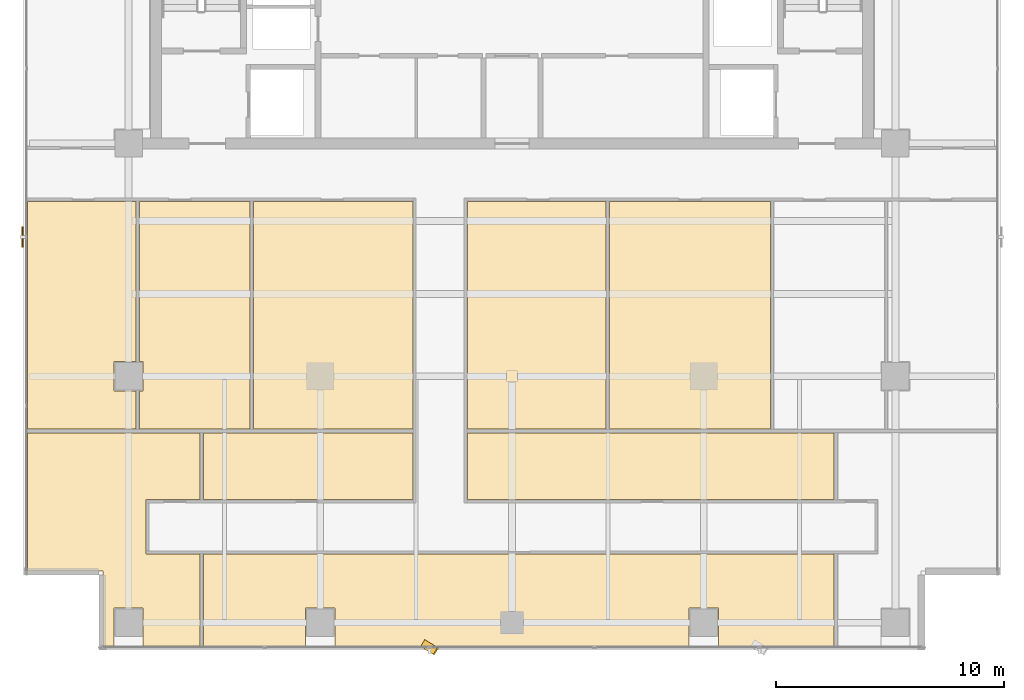
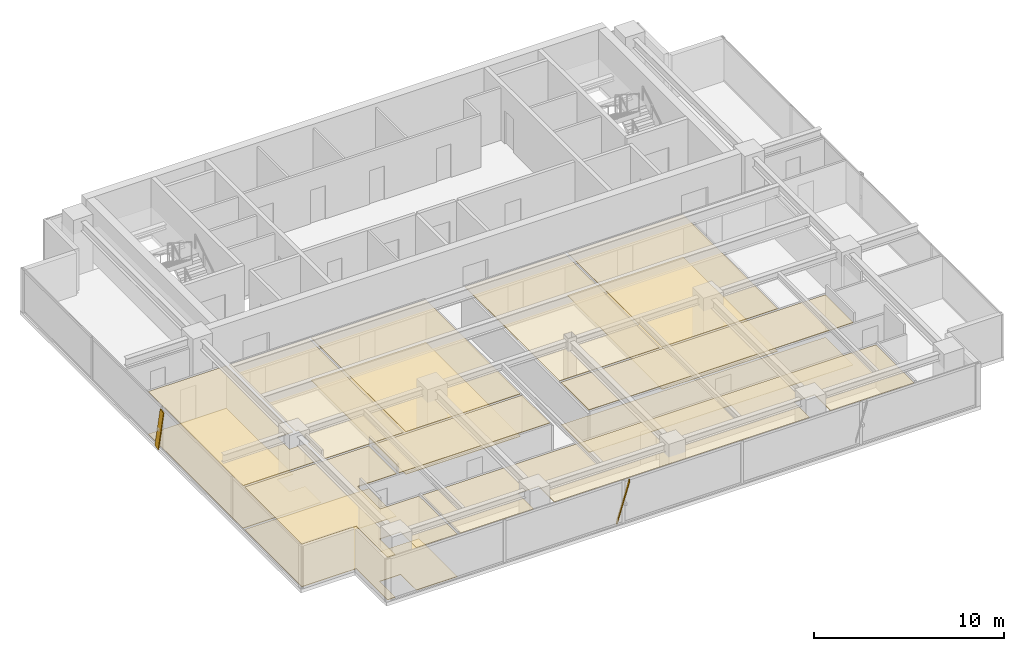
# One storey, part 19 of 23: 14 coverings, 2 shading devices.
"""IFC4 building model written with IfcOpenShell, lengths in metres."""

from ifc_helpers import new_model, si_unit, direction, frame, origin, origin_2d, place, context, subcontext, project, spatial, polyline, rectangle, outline, extrude, source, transform, mapped, material, layer, layer_set, material_profile, profile_set, type_object, element, save


model = new_model("IFC4")

# Units and contexts
model_context = context("Model", 3, precision=1e-05, world=origin(), true_north=direction((0.0, 1.0)))
body_context = subcontext(model_context, "Body", "Model", "MODEL_VIEW")
ifc_project = project(units=[si_unit("LENGTHUNIT", "METRE"), si_unit("AREAUNIT", "SQUARE_METRE"), si_unit("VOLUMEUNIT", "CUBIC_METRE"), si_unit("PLANEANGLEUNIT", "RADIAN"), si_unit("MASSUNIT", "GRAM", prefix="KILO")], contexts=[model_context])

# Site, building, storey
site_placement = place(None, origin())
site = spatial("IfcSite", under=ifc_project, at=site_placement, CompositionType="ELEMENT")
building_placement = place(site_placement, origin())
building = spatial("IfcBuilding", under=site, at=building_placement, Name="Sumidabori Civic Tower", CompositionType="ELEMENT")
storey_placement = place(building_placement, frame((0.0, 0.0, 275.60009765625)))
storey = spatial("IfcBuildingStorey", under=building, at=storey_placement, Name="L72", CompositionType="ELEMENT", Elevation=275.60009765625)

# Coverings
ifc_material_1 = material(Name="Perforated Timber Acoustic Ceiling", Category="wood")
ifc_layer_1 = layer(ifc_material_1, 0.044921875, Name="Perforated Timber Acoustic Ceiling")
ifc_layer_set_1 = layer_set([ifc_layer_1], Name="Perforated Timber Acoustic Ceiling")
covering_type_1 = type_object("IfcCoveringType", Name="CV-CEIL-AC2", PredefinedType="CEILING", material=ifc_layer_set_1)
covering_1_placement = place(storey_placement, frame((0.0, 0.0, 2.719970703125)))
element("IfcCovering", 1, at=covering_1_placement, inside=storey, type_object=covering_type_1, Name="Room Acoustic Ceiling L72-03", PredefinedType="CEILING", context=body_context, shape_type="SweptSolid", body=[
    extrude(outline(polyline([(-21.22998046875, -2.320068359375), (-21.22998046875, 7.659912109375), (-16.47998046875, 7.659912109375), (-16.47998046875, 0.639892578125), (-17.43994140625, 0.639892578125), (-17.43994140625, -0.639892578125), (-16.47998046875, -0.639892578125), (-16.47998046875, -2.320068359375), (-21.22998046875, -2.320068359375)])), origin(), (0.0, 0.0, 1.0), 0.044921875),
])
covering_2_placement = place(storey_placement, frame((0.0, 0.0, 2.719970703125)))
element("IfcCovering", 2, at=covering_2_placement, inside=storey, type_object=covering_type_1, Name="Room Acoustic Ceiling L72-04", PredefinedType="CEILING", context=body_context, shape_type="SweptSolid", body=[
    extrude(outline(polyline([(-16.159912109375, 0.639892578125), (-16.320068359375, 0.639892578125), (-16.320068359375, 7.659912109375), (-11.47998046875, 7.659912109375), (-11.47998046875, -2.320068359375), (-16.320068359375, -2.320068359375), (-16.320068359375, -0.639892578125), (-16.159912109375, -0.639892578125), (-16.159912109375, 0.639892578125)])), origin(), (0.0, 0.0, 1.0), 0.044921875),
])
covering_3_placement = place(storey_placement, frame((0.0, 0.0, 2.719970703125)))
element("IfcCovering", 3, at=covering_3_placement, inside=storey, type_object=covering_type_1, Name="Room Acoustic Ceiling L72-05", PredefinedType="CEILING", context=body_context, shape_type="SweptSolid", body=[
    extrude(outline(polyline([(-11.320068359375, -2.320068359375), (-11.320068359375, 7.659912109375), (-4.340087890625, 7.659912109375), (-4.340087890625, -2.320068359375), (-11.320068359375, -2.320068359375)])), origin(), (0.0, 0.0, 1.0), 0.044921875),
])
covering_4_placement = place(storey_placement, frame((0.0, 0.0, 2.719970703125)))
element("IfcCovering", 4, at=covering_4_placement, inside=storey, type_object=covering_type_1, Name="Room Acoustic Ceiling L72-06", PredefinedType="CEILING", context=body_context, shape_type="SweptSolid", body=[
    extrude(outline(polyline([(-1.9599609375, 7.659912109375), (4.1201171875, 7.659912109375), (4.1201171875, -2.320068359375), (-1.9599609375, -2.320068359375), (-1.9599609375, 7.659912109375)])), origin(), (0.0, 0.0, 1.0), 0.044921875),
])
covering_5_placement = place(storey_placement, frame((0.0, 0.0, 2.719970703125)))
element("IfcCovering", 5, at=covering_5_placement, inside=storey, type_object=covering_type_1, Name="Room Acoustic Ceiling L72-07", PredefinedType="CEILING", context=body_context, shape_type="SweptSolid", body=[
    extrude(outline(polyline([(4.280029296875, 7.659912109375), (11.320068359375, 7.659912109375), (11.320068359375, -2.320068359375), (4.280029296875, -2.320068359375), (4.280029296875, 7.659912109375)])), origin(), (0.0, 0.0, 1.0), 0.044921875),
])
covering_6_placement = place(storey_placement, frame((0.0, 0.0, 2.719970703125)))
element("IfcCovering", 6, at=covering_6_placement, inside=storey, type_object=covering_type_1, Name="Room Acoustic Ceiling L72-10", PredefinedType="CEILING", context=body_context, shape_type="SweptSolid", body=[
    extrude(outline(polyline([(-13.52001953125, -2.47998046875), (-4.340087890625, -2.47998046875), (-4.340087890625, -5.409912109375), (-13.52001953125, -5.409912109375), (-13.52001953125, -2.47998046875)])), origin(), (0.0, 0.0, 1.0), 0.044921875),
])
covering_7_placement = place(storey_placement, frame((0.0, 0.0, 2.719970703125)))
element("IfcCovering", 7, at=covering_7_placement, inside=storey, type_object=covering_type_1, Name="Room Acoustic Ceiling L72-11", PredefinedType="CEILING", context=body_context, shape_type="SweptSolid", body=[
    extrude(outline(polyline([(-1.9599609375, -5.409912109375), (-1.9599609375, -2.47998046875), (14.1201171875, -2.47998046875), (14.1201171875, -5.409912109375), (-1.9599609375, -5.409912109375)])), origin(), (0.0, 0.0, 1.0), 0.044921875),
])
covering_8_placement = place(storey_placement, frame((0.0, 0.0, 2.719970703125)))
element("IfcCovering", 8, at=covering_8_placement, inside=storey, type_object=covering_type_1, Name="Room Acoustic Ceiling L72-13", PredefinedType="CEILING", context=body_context, shape_type="SweptSolid", body=[
    extrude(outline(polyline([(-17.929931640625, -11.830078125), (-17.929931640625, -8.530029296875), (-21.22998046875, -8.530029296875), (-21.22998046875, -2.47998046875), (-13.679931640625, -2.47998046875), (-13.679931640625, -5.409912109375), (-16.0400390625, -5.409912109375), (-16.0400390625, -7.7900390625), (-13.679931640625, -7.7900390625), (-13.679931640625, -11.830078125), (-16.159912109375, -11.830078125), (-16.159912109375, -10.159912109375), (-17.43994140625, -10.159912109375), (-17.43994140625, -11.830078125), (-17.929931640625, -11.830078125)])), origin(), (0.0, 0.0, 1.0), 0.044921875),
])
covering_9_placement = place(storey_placement, frame((0.0, 0.0, 2.719970703125)))
element("IfcCovering", 9, at=covering_9_placement, inside=storey, type_object=covering_type_1, Name="Room Acoustic Ceiling L72-14", PredefinedType="CEILING", context=body_context, shape_type="SweptSolid", body=[
    extrude(outline(polyline([(14.1201171875, -7.7900390625), (14.1201171875, -11.830078125), (9.0400390625, -11.830078125), (9.0400390625, -10.159912109375), (7.760009765625, -10.159912109375), (7.760009765625, -11.830078125), (-7.760009765625, -11.830078125), (-7.760009765625, -10.159912109375), (-9.0400390625, -10.159912109375), (-9.0400390625, -11.830078125), (-13.52001953125, -11.830078125), (-13.52001953125, -7.7900390625), (14.1201171875, -7.7900390625)])), origin(), (0.0, 0.0, 1.0), 0.044921875),
])
ifc_material_2 = material(Name="Honed Terrazzo Tile Flooring")
ifc_layer_2 = layer(ifc_material_2, 0.030029296875, Name="Honed Terrazzo Tile Flooring")
ifc_layer_set_2 = layer_set([ifc_layer_2], Name="Honed Terrazzo Tile Flooring")
covering_type_2 = type_object("IfcCoveringType", Name="CV-FLR-TER", PredefinedType="FLOORING", material=ifc_layer_set_2)
covering_10_placement = place(storey_placement, origin())
element("IfcCovering", 10, at=covering_10_placement, inside=storey, type_object=covering_type_2, Name="Room Terrazzo Floor L72-03", PredefinedType="FLOORING", context=body_context, shape_type="SweptSolid", body=[
    extrude(outline(polyline([(-21.22998046875, -2.320068359375), (-21.22998046875, 7.659912109375), (-16.47998046875, 7.659912109375), (-16.47998046875, 0.639892578125), (-17.43994140625, 0.639892578125), (-17.43994140625, -0.639892578125), (-16.47998046875, -0.639892578125), (-16.47998046875, -2.320068359375), (-21.22998046875, -2.320068359375)])), origin(), (0.0, 0.0, 1.0), 0.02978515625),
])
covering_11_placement = place(storey_placement, origin())
element("IfcCovering", 11, at=covering_11_placement, inside=storey, type_object=covering_type_2, Name="Room Terrazzo Floor L72-05", PredefinedType="FLOORING", context=body_context, shape_type="SweptSolid", body=[
    extrude(outline(polyline([(-11.320068359375, -2.320068359375), (-11.320068359375, 7.659912109375), (-4.340087890625, 7.659912109375), (-4.340087890625, -2.320068359375), (-11.320068359375, -2.320068359375)])), origin(), (0.0, 0.0, 1.0), 0.02978515625),
])
covering_12_placement = place(storey_placement, origin())
element("IfcCovering", 12, at=covering_12_placement, inside=storey, type_object=covering_type_2, Name="Room Terrazzo Floor L72-07", PredefinedType="FLOORING", context=body_context, shape_type="SweptSolid", body=[
    extrude(outline(polyline([(4.280029296875, 7.659912109375), (11.320068359375, 7.659912109375), (11.320068359375, -2.320068359375), (4.280029296875, -2.320068359375), (4.280029296875, 7.659912109375)])), origin(), (0.0, 0.0, 1.0), 0.02978515625),
])
covering_13_placement = place(storey_placement, origin())
element("IfcCovering", 13, at=covering_13_placement, inside=storey, type_object=covering_type_2, Name="Room Terrazzo Floor L72-11", PredefinedType="FLOORING", context=body_context, shape_type="SweptSolid", body=[
    extrude(outline(polyline([(-1.9599609375, -5.409912109375), (-1.9599609375, -2.47998046875), (14.1201171875, -2.47998046875), (14.1201171875, -5.409912109375), (-1.9599609375, -5.409912109375)])), origin(), (0.0, 0.0, 1.0), 0.02978515625),
])
covering_14_placement = place(storey_placement, origin())
element("IfcCovering", 14, at=covering_14_placement, inside=storey, type_object=covering_type_2, Name="Room Terrazzo Floor L72-13", PredefinedType="FLOORING", context=body_context, shape_type="SweptSolid", body=[
    extrude(outline(polyline([(-17.929931640625, -11.830078125), (-17.929931640625, -8.530029296875), (-21.22998046875, -8.530029296875), (-21.22998046875, -2.47998046875), (-13.679931640625, -2.47998046875), (-13.679931640625, -5.409912109375), (-16.0400390625, -5.409912109375), (-16.0400390625, -7.7900390625), (-13.679931640625, -7.7900390625), (-13.679931640625, -11.830078125), (-16.159912109375, -11.830078125), (-16.159912109375, -10.159912109375), (-17.43994140625, -10.159912109375), (-17.43994140625, -11.830078125), (-17.929931640625, -11.830078125)])), origin(), (0.0, 0.0, 1.0), 0.02978515625),
])

# Shading devices
ifc_material_3 = material(Name="Anodised Bronze Aluminium AW-6063-T6", Category="aluminium")
ifc_material_profile = material_profile(ifc_material_3, rectangle(XDim=0.054931640625, YDim=0.360107421875, at=origin_2d()), Name="BRONZE FIN 360x55")
ifc_profile_set = profile_set([ifc_material_profile], Name="Anodised Bronze Aluminium AW-6063-T6")
shading_device_type = type_object("IfcShadingDeviceType", Name="SH-FIN-360", PredefinedType="USERDEFINED", material=ifc_profile_set)
shared_shape_1 = source(origin(), body_context, "Body", "SweptSolid", [
    extrude(rectangle(XDim=0.054931640625, YDim=0.360107421875, at=origin_2d()), origin(), (0.0, 0.0, 1.0), 2.7685546875),
])
shading_device_1_placement = place(storey_placement, frame((-3.89404296875, -11.7099609375, 0.02001953125), z_axis=(0.202289930374, -0.122837782481, 0.971591304646), x_axis=(0.830469701518, -0.504291322674, -0.236665030656)))
element("IfcShadingDevice", 15, at=shading_device_1_placement, inside=storey, type_object=shading_device_type, Name="Bronze Anodised Diagonal Fin L72-02", ObjectType="FIN", PredefinedType="USERDEFINED", context=body_context, shape_type="MappedRepresentation", body=[
    mapped(shared_shape_1, transform((0.0, 0.0, 0.0), x_axis=(1.0, 0.0, 0.0), y_axis=(0.0, 1.0, 0.0), z_axis=(0.0, 0.0, 1.0), scale=1.0)),
])
shared_shape_2 = source(origin(), body_context, "Body", "SweptSolid", [
    extrude(rectangle(XDim=0.054931640625, YDim=0.360107421875, at=origin_2d()), origin(), (0.0, 0.0, 1.0), 2.74755859375),
])
shading_device_2_placement = place(storey_placement, frame((-21.449951171875, 6.3798828125, 0.02001953125), z_axis=(0.0, -0.203748445037, 0.979023274057), x_axis=(-1.0, 0.0, 0.0)))
element("IfcShadingDevice", 16, at=shading_device_2_placement, inside=storey, type_object=shading_device_type, Name="Bronze Anodised Diagonal Fin L72-02", ObjectType="FIN", PredefinedType="USERDEFINED", context=body_context, shape_type="MappedRepresentation", body=[
    mapped(shared_shape_2, transform((0.0, 0.0, 0.0), x_axis=(1.0, 0.0, 0.0), y_axis=(0.0, 1.0, 0.0), z_axis=(0.0, 0.0, 1.0), scale=1.0)),
])

save(model, "model.ifc")
